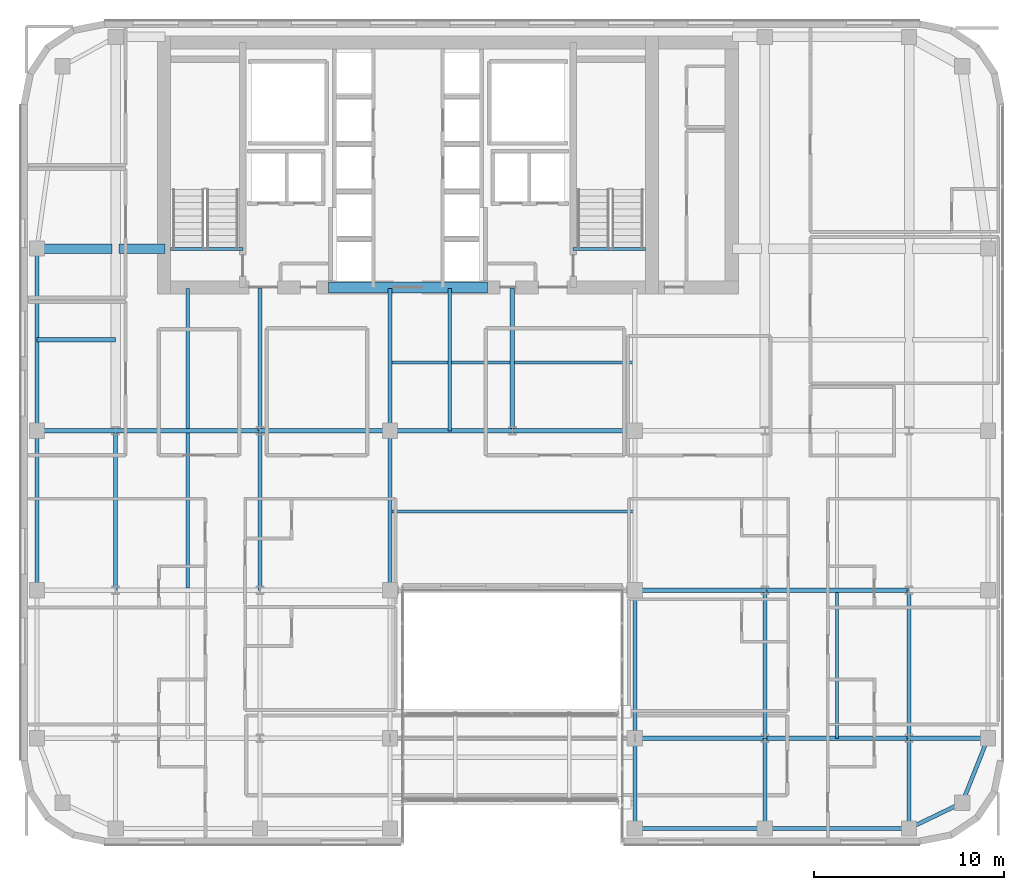
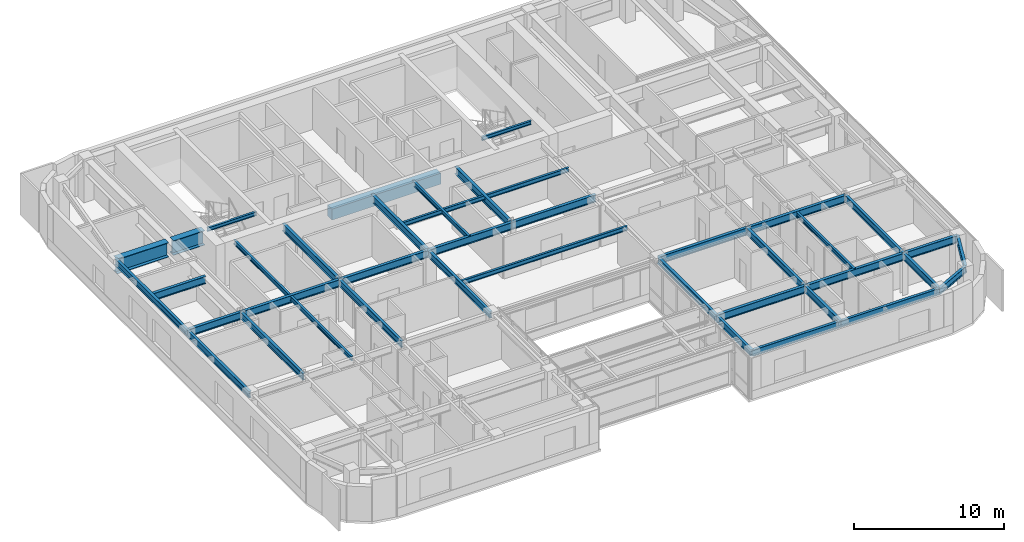
# One storey, part 7 of 26: 40 beams.
"""IFC4 building model written with IfcOpenShell, lengths in metres."""

from ifc_helpers import new_model, si_unit, direction, frame, origin, origin_2d, place, context, subcontext, project, spatial, rectangle, i_section, extrude, source, transform, mapped, material, material_profile, profile_set, type_object, type_shapes, element, save


model = new_model("IFC4")

# Units and contexts
model_context = context("Model", 3, precision=1e-05, world=origin(), true_north=direction((0.0, 1.0)))
body_context = subcontext(model_context, "Body", "Model", "MODEL_VIEW")
ifc_project = project(units=[si_unit("LENGTHUNIT", "METRE"), si_unit("AREAUNIT", "SQUARE_METRE"), si_unit("VOLUMEUNIT", "CUBIC_METRE"), si_unit("PLANEANGLEUNIT", "RADIAN"), si_unit("MASSUNIT", "GRAM", prefix="KILO")], contexts=[model_context])

# Site, building, storey
site_placement = place(None, origin())
site = spatial("IfcSite", under=ifc_project, at=site_placement, CompositionType="ELEMENT")
building_placement = place(site_placement, origin())
building = spatial("IfcBuilding", under=site, at=building_placement, Name="Tolvann Quenvar Hotel", CompositionType="ELEMENT")
storey_placement = place(building_placement, frame((0.0, 0.0, 168.35009765625)))
storey = spatial("IfcBuildingStorey", under=building, at=storey_placement, Name="L44", CompositionType="ELEMENT", Elevation=168.35009765625)

# Beams
ifc_material_1 = material(Name="Concrete N50 (50 MPa)", Category="concrete")
ifc_material_profile_1 = material_profile(ifc_material_1, rectangle(XDim=0.60009765625, YDim=0.89990234375, at=origin_2d()), Name="RC600x900")
ifc_profile_set_1 = profile_set([ifc_material_profile_1], Name="Concrete N50 (50 MPa)")
beam_type_1 = type_object("IfcBeamType", Name="BM_LINT_RC600x900", PredefinedType="LINTEL", material=ifc_profile_set_1)
shared_shape_1 = source(origin(), body_context, "Body", "SweptSolid", [
    extrude(rectangle(XDim=0.60009765625, YDim=0.89990234375, at=origin_2d()), origin(), (0.0, 0.0, 1.0), 8.39990234375),
])
type_shapes(beam_type_1, [shared_shape_1])
beam_1_placement = place(storey_placement, frame((18.800048828125, 31.949951171875, 2.919921875), z_axis=(1.0, 0.0, 0.0), x_axis=(0.0, 1.0, 0.0)))
element("IfcBeam", 1, at=beam_1_placement, inside=storey, type_object=beam_type_1, Name="Core Coupling Lintel Beam (L44)", PredefinedType="LINTEL", context=body_context, shape_type="MappedRepresentation", body=[
    mapped(shared_shape_1, transform((0.0, 0.0, 0.0), x_axis=(1.0, 0.0, 0.0), y_axis=(0.0, 1.0, 0.0), z_axis=(0.0, 0.0, 1.0), scale=1.0)),
])
ifc_material_2 = material(Name="Steel Grade 350", Category="steel")
ifc_material_profile_2 = material_profile(ifc_material_2, i_section(OverallWidth=0.208984375, OverallDepth=0.528076171875, WebThickness=0.009521484375, FlangeThickness=0.01318359375, FilletRadius=0.013916015625, at=origin_2d()), Name="530UB82")
ifc_profile_set_2 = profile_set([ifc_material_profile_2], Name="Steel Grade 350")
beam_type_2 = type_object("IfcBeamType", Name="BM_SPAND_530UB82", PredefinedType="SPANDREL", material=ifc_profile_set_2)
shared_shape_2 = source(origin(), body_context, "Body", "SweptSolid", [
    extrude(i_section(OverallWidth=0.208984375, OverallDepth=0.528076171875, WebThickness=0.009521484375, FlangeThickness=0.01318359375, FilletRadius=0.013916015625, at=origin_2d()), origin(), (0.0, 0.0, 1.0), 7.599853515625),
])
beam_2_placement = place(storey_placement, frame((41.800048828125, 3.449951171875, 3.10595703125), z_axis=(1.0, 0.0, 0.0), x_axis=(0.0, 1.0, 0.0)))
element("IfcBeam", 2, at=beam_2_placement, inside=storey, type_object=beam_type_2, Name="BM-L44-EW-2-H2-I2", PredefinedType="SPANDREL", context=body_context, shape_type="MappedRepresentation", body=[
    mapped(shared_shape_2, transform((0.0, 0.0, 0.0), x_axis=(1.0, 0.0, 0.0), y_axis=(0.0, 1.0, 0.0), z_axis=(0.0, 0.0, 1.0), scale=1.0)),
])
shared_shape_3 = source(origin(), body_context, "Body", "SweptSolid", [
    extrude(i_section(OverallWidth=0.208984375, OverallDepth=0.528076171875, WebThickness=0.009521484375, FlangeThickness=0.01318359375, FilletRadius=0.013916015625, at=origin_2d()), origin(), (0.0, 0.0, 1.0), 6.85009765625),
])
beam_3_placement = place(storey_placement, frame((34.949951171875, 3.449951171875, 3.10595703125), z_axis=(1.0, 0.0, 0.0), x_axis=(0.0, 1.0, 0.0)))
element("IfcBeam", 3, at=beam_3_placement, inside=storey, type_object=beam_type_2, Name="BM-L44-EW-2-F2-H2", PredefinedType="SPANDREL", context=body_context, shape_type="MappedRepresentation", body=[
    mapped(shared_shape_3, transform((0.0, 0.0, 0.0), x_axis=(1.0, 0.0, 0.0), y_axis=(0.0, 1.0, 0.0), z_axis=(0.0, 0.0, 1.0), scale=1.0)),
])
shared_shape_4 = source(origin(), body_context, "Body", "SweptSolid", [
    extrude(i_section(OverallWidth=0.208984375, OverallDepth=0.528076171875, WebThickness=0.009521484375, FlangeThickness=0.01318359375, FilletRadius=0.013916015625, at=origin_2d()), origin(), (0.0, 0.0, 1.0), 8.39990234375),
])
beam_4_placement = place(storey_placement, frame((3.449951171875, 16.0, 3.10595703125), z_axis=(0.0, 1.0, 0.0), x_axis=(-1.0, 0.0, 0.0)))
element("IfcBeam", 4, at=beam_4_placement, inside=storey, type_object=beam_type_2, Name="BM-L44-NS-B4-B5", PredefinedType="SPANDREL", context=body_context, shape_type="MappedRepresentation", body=[
    mapped(shared_shape_4, transform((0.0, 0.0, 0.0), x_axis=(1.0, 0.0, 0.0), y_axis=(0.0, 1.0, 0.0), z_axis=(0.0, 0.0, 1.0), scale=1.0)),
])
ifc_material_profile_3 = material_profile(ifc_material_2, i_section(OverallWidth=0.208984375, OverallDepth=0.532958984375, WebThickness=0.01025390625, FlangeThickness=0.015625, FilletRadius=0.013916015625, at=origin_2d()), Name="530UB92")
ifc_profile_set_3 = profile_set([ifc_material_profile_3], Name="Steel Grade 350")
beam_type_3 = type_object("IfcBeamType", Name="BM_GIRD_530UB92", PredefinedType="BEAM", material=ifc_profile_set_3)
shared_shape_5 = source(origin(), body_context, "Body", "SweptSolid", [
    extrude(i_section(OverallWidth=0.208984375, OverallDepth=0.532958984375, WebThickness=0.01025390625, FlangeThickness=0.015625, FilletRadius=0.013916015625, at=origin_2d()), origin(), (0.0, 0.0, 1.0), 7.800048828125),
])
for number, where, z_axis, x_axis, name in (
    (5, (34.949951171875, 8.199951171875, 3.103515625), (0.0, 1.0, 0.0), (-1.0, 0.0, 0.0), "BM-L44-NS-F3-F4"),
    (6, (41.800048828125, 8.199951171875, 3.103515625), (0.0, 1.0, 0.0), (-1.0, 0.0, 0.0), "BM-L44-NS-H3-H4"),
    (7, (49.39990234375, 8.199951171875, 3.103515625), (0.0, 1.0, 0.0), (-1.0, 0.0, 0.0), "BM-L44-NS-I3-I4"),
):
    element("IfcBeam", number, at=place(storey_placement, frame(where, z_axis=z_axis, x_axis=x_axis)), inside=storey, type_object=beam_type_3, Name=name, PredefinedType="BEAM", context=body_context, shape_type="MappedRepresentation", body=[
        mapped(shared_shape_5, transform((0.0, 0.0, 0.0), x_axis=(1.0, 0.0, 0.0), y_axis=(0.0, 1.0, 0.0), z_axis=(0.0, 0.0, 1.0), scale=1.0)),
    ])
shared_shape_6 = source(origin(), body_context, "Body", "SweptSolid", [
    extrude(i_section(OverallWidth=0.208984375, OverallDepth=0.532958984375, WebThickness=0.01025390625, FlangeThickness=0.015625, FilletRadius=0.013916015625, at=origin_2d()), origin(), (0.0, 0.0, 1.0), 8.39990234375),
])
for number, where, z_axis, x_axis, name in (
    (8, (7.60009765625, 16.0, 3.103515625), (0.0, 1.0, 0.0), (-1.0, 0.0, 0.0), "BM-L44-NS-C4-C5"),
    (9, (15.199951171875, 16.0, 3.103515625), (0.0, 1.0, 0.0), (-1.0, 0.0, 0.0), "BM-L44-NS-D4-D5"),
    (10, (22.050048828125, 16.0, 3.103515625), (0.0, 1.0, 0.0), (-1.0, 0.0, 0.0), "BM-L44-NS-E4-E5"),
):
    element("IfcBeam", number, at=place(storey_placement, frame(where, z_axis=z_axis, x_axis=x_axis)), inside=storey, type_object=beam_type_3, Name=name, PredefinedType="BEAM", context=body_context, shape_type="MappedRepresentation", body=[
        mapped(shared_shape_6, transform((0.0, 0.0, 0.0), x_axis=(1.0, 0.0, 0.0), y_axis=(0.0, 1.0, 0.0), z_axis=(0.0, 0.0, 1.0), scale=1.0)),
    ])
shared_shape_7 = source(origin(), body_context, "Body", "SweptSolid", [
    extrude(i_section(OverallWidth=0.208984375, OverallDepth=0.528076171875, WebThickness=0.009521484375, FlangeThickness=0.01318359375, FilletRadius=0.013916015625, at=origin_2d()), origin(), (0.0, 0.0, 1.0), 9.60009765625),
])
beam_5_placement = place(storey_placement, frame((3.449951171875, 24.39990234375, 3.10595703125), z_axis=(0.0, 1.0, 0.0), x_axis=(-1.0, 0.0, 0.0)))
element("IfcBeam", 11, at=beam_5_placement, inside=storey, type_object=beam_type_2, Name="BM-L44-FLK-W1", PredefinedType="SPANDREL", context=body_context, shape_type="MappedRepresentation", body=[
    mapped(shared_shape_7, transform((0.0, 0.0, 0.0), x_axis=(1.0, 0.0, 0.0), y_axis=(0.0, 1.0, 0.0), z_axis=(0.0, 0.0, 1.0), scale=1.0)),
])
ifc_material_profile_4 = material_profile(ifc_material_2, i_section(OverallWidth=0.5, OverallDepth=1.199951171875, WebThickness=0.01611328125, FlangeThickness=0.0400390625, at=origin_2d()), Name="1200WB455")
ifc_profile_set_4 = profile_set([ifc_material_profile_4], Name="Steel Grade 350")
beam_type_4 = type_object("IfcBeamType", Name="BM_TG_1200WB455", PredefinedType="USERDEFINED", material=ifc_profile_set_4)
shared_shape_8 = source(origin(), body_context, "Body", "SweptSolid", [
    extrude(i_section(OverallWidth=0.5, OverallDepth=1.199951171875, WebThickness=0.01611328125, FlangeThickness=0.0400390625, at=origin_2d()), origin(), (0.0, 0.0, 1.0), 2.419921875),
])
beam_6_placement = place(storey_placement, frame((7.780029296875, 34.0, 2.77001953125), z_axis=(1.0, 0.0, 0.0), x_axis=(0.0, 1.0, 0.0)))
element("IfcBeam", 12, at=beam_6_placement, inside=storey, type_object=beam_type_4, Name="BM-L44-CTW-MID2", ObjectType="TRANSFER GIRDER", PredefinedType="USERDEFINED", context=body_context, shape_type="MappedRepresentation", body=[
    mapped(shared_shape_8, transform((0.0, 0.0, 0.0), x_axis=(1.0, 0.0, 0.0), y_axis=(0.0, 1.0, 0.0), z_axis=(0.0, 0.0, 1.0), scale=1.0)),
])
ifc_material_profile_5 = material_profile(ifc_material_2, i_section(OverallWidth=0.166015625, OverallDepth=0.306884765625, WebThickness=0.006591796875, FlangeThickness=0.01171875, FilletRadius=0.011474609375, at=origin_2d()), Name="310UB46")
ifc_profile_set_5 = profile_set([ifc_material_profile_5], Name="Steel Grade 350")
beam_type_5 = type_object("IfcBeamType", Name="BM_JOIST_310UB46", PredefinedType="JOIST", material=ifc_profile_set_5)
shared_shape_9 = source(origin(), body_context, "Body", "SweptSolid", [
    extrude(i_section(OverallWidth=0.166015625, OverallDepth=0.306884765625, WebThickness=0.006591796875, FlangeThickness=0.01171875, FilletRadius=0.011474609375, at=origin_2d()), origin(), (0.0, 0.0, 1.0), 3.800048828125),
])
type_shapes(beam_type_5, [shared_shape_9])
for number, where, z_axis, x_axis, name in (
    (13, (10.5, 33.97998046875, 3.21630859375), (1.0, 0.0, 0.0), (0.0, 1.0, 0.0), "BM-HDR-STC1-L45"),
    (14, (31.699951171875, 33.97998046875, 3.21630859375), (1.0, 0.0, 0.0), (0.0, 1.0, 0.0), "BM-HDR-STC2-L45"),
):
    element("IfcBeam", number, at=place(storey_placement, frame(where, z_axis=z_axis, x_axis=x_axis)), inside=storey, type_object=beam_type_5, Name=name, PredefinedType="JOIST", context=body_context, shape_type="MappedRepresentation", body=[
        mapped(shared_shape_9, transform((0.0, 0.0, 0.0), x_axis=(1.0, 0.0, 0.0), y_axis=(0.0, 1.0, 0.0), z_axis=(0.0, 0.0, 1.0), scale=1.0)),
    ])
shared_shape_10 = source(origin(), body_context, "Body", "SweptSolid", [
    extrude(i_section(OverallWidth=0.5, OverallDepth=1.199951171875, WebThickness=0.01611328125, FlangeThickness=0.0400390625, at=origin_2d()), origin(), (0.0, 0.0, 1.0), 3.969970703125),
])
type_shapes(beam_type_4, [shared_shape_8, shared_shape_10])
beam_7_placement = place(storey_placement, frame((3.449951171875, 34.0, 2.77001953125), z_axis=(1.0, 0.0, 0.0), x_axis=(0.0, 1.0, 0.0)))
element("IfcBeam", 15, at=beam_7_placement, inside=storey, type_object=beam_type_4, Name="BM-L44-CTW-MID1", ObjectType="TRANSFER GIRDER", PredefinedType="USERDEFINED", context=body_context, shape_type="MappedRepresentation", body=[
    mapped(shared_shape_10, transform((0.0, 0.0, 0.0), x_axis=(1.0, 0.0, 0.0), y_axis=(0.0, 1.0, 0.0), z_axis=(0.0, 0.0, 1.0), scale=1.0)),
])
ifc_material_profile_6 = material_profile(ifc_material_2, i_section(OverallWidth=0.172119140625, OverallDepth=0.35888671875, WebThickness=0.008056640625, FlangeThickness=0.012939453125, FilletRadius=0.011474609375, at=origin_2d()), Name="360UB57")
ifc_profile_set_6 = profile_set([ifc_material_profile_6], Name="Steel Grade 350")
beam_type_6 = type_object("IfcBeamType", Name="BM_JOIST_360UB57", PredefinedType="JOIST", material=ifc_profile_set_6)
shared_shape_11 = source(origin(), body_context, "Body", "SweptSolid", [
    extrude(i_section(OverallWidth=0.172119140625, OverallDepth=0.35888671875, WebThickness=0.008056640625, FlangeThickness=0.012939453125, FilletRadius=0.011474609375, at=origin_2d()), origin(), (0.0, 0.0, 1.0), 12.89990234375),
])
for number, where, z_axis, x_axis, name in (
    (16, (22.050048828125, 20.14990234375, 3.1904296875), (1.0, 0.0, 0.0), (0.0, 1.0, 0.0), "BM-L44-SPINE-20"),
    (17, (22.050048828125, 28.0, 3.1904296875), (1.0, 0.0, 0.0), (0.0, 1.0, 0.0), "BM-L44-SPINE-28"),
):
    element("IfcBeam", number, at=place(storey_placement, frame(where, z_axis=z_axis, x_axis=x_axis)), inside=storey, type_object=beam_type_6, Name=name, PredefinedType="JOIST", context=body_context, shape_type="MappedRepresentation", body=[
        mapped(shared_shape_11, transform((0.0, 0.0, 0.0), x_axis=(1.0, 0.0, 0.0), y_axis=(0.0, 1.0, 0.0), z_axis=(0.0, 0.0, 1.0), scale=1.0)),
    ])
shared_shape_12 = source(origin(), body_context, "Body", "SweptSolid", [
    extrude(i_section(OverallWidth=0.172119140625, OverallDepth=0.35888671875, WebThickness=0.008056640625, FlangeThickness=0.012939453125, FilletRadius=0.011474609375, at=origin_2d()), origin(), (0.0, 0.0, 1.0), 7.5),
])
beam_8_placement = place(storey_placement, frame((25.199951171875, 24.39990234375, 3.1904296875), z_axis=(0.0, 1.0, 0.0), x_axis=(-1.0, 0.0, 0.0)))
element("IfcBeam", 18, at=beam_8_placement, inside=storey, type_object=beam_type_6, Name="BJ-L44-252-244", PredefinedType="JOIST", context=body_context, shape_type="MappedRepresentation", body=[
    mapped(shared_shape_12, transform((0.0, 0.0, 0.0), x_axis=(1.0, 0.0, 0.0), y_axis=(0.0, 1.0, 0.0), z_axis=(0.0, 0.0, 1.0), scale=1.0)),
])
shared_shape_13 = source(origin(), body_context, "Body", "SweptSolid", [
    extrude(i_section(OverallWidth=0.208984375, OverallDepth=0.528076171875, WebThickness=0.009521484375, FlangeThickness=0.01318359375, FilletRadius=0.013916015625, at=origin_2d()), origin(), (0.0, 0.0, 1.0), 3.108642578125),
])
beam_9_placement = place(storey_placement, frame((49.39990234375, 3.449951171875, 3.10595703125), z_axis=(0.900759354066, 0.434318530646, 0.0), x_axis=(-0.434318530646, 0.900759354066, 0.0)))
element("IfcBeam", 19, at=beam_9_placement, inside=storey, type_object=beam_type_2, Name="BM-L44-EW-2-I2-J2", PredefinedType="SPANDREL", context=body_context, shape_type="MappedRepresentation", body=[
    mapped(shared_shape_13, transform((0.0, 0.0, 0.0), x_axis=(1.0, 0.0, 0.0), y_axis=(0.0, 1.0, 0.0), z_axis=(0.0, 0.0, 1.0), scale=1.0)),
])
ifc_material_profile_7 = material_profile(ifc_material_2, i_section(OverallWidth=0.22802734375, OverallDepth=0.60205078125, WebThickness=0.010498046875, FlangeThickness=0.014892578125, FilletRadius=0.013916015625, at=origin_2d()), Name="610UB101")
ifc_profile_set_7 = profile_set([ifc_material_profile_7], Name="Steel Grade 350")
beam_type_7 = type_object("IfcBeamType", Name="BM_GIRD_610UB101", PredefinedType="BEAM", material=ifc_profile_set_7)
shared_shape_14 = source(origin(), body_context, "Body", "SweptSolid", [
    extrude(i_section(OverallWidth=0.22802734375, OverallDepth=0.60205078125, WebThickness=0.010498046875, FlangeThickness=0.014892578125, FilletRadius=0.013916015625, at=origin_2d()), origin(), (0.0, 0.0, 1.0), 4.150146484375),
])
for number, where, z_axis, x_axis, name in (
    (20, (49.39990234375, 8.199951171875, 3.06884765625), (1.0, 0.0, 0.0), (0.0, 1.0, 0.0), "BM-L44-EW-3-I3-J3"),
    (21, (3.449951171875, 24.39990234375, 3.06884765625), (1.0, 0.0, 0.0), (0.0, 1.0, 0.0), "BM-L44-EW-5-B5-C5"),
    (22, (3.449951171875, 29.199951171875, 3.06884765625), (1.0, 0.0, 0.0), (0.0, 1.0, 0.0), "BM-L44-EW-BC29"),
):
    element("IfcBeam", number, at=place(storey_placement, frame(where, z_axis=z_axis, x_axis=x_axis)), inside=storey, type_object=beam_type_7, Name=name, PredefinedType="BEAM", context=body_context, shape_type="MappedRepresentation", body=[
        mapped(shared_shape_14, transform((0.0, 0.0, 0.0), x_axis=(1.0, 0.0, 0.0), y_axis=(0.0, 1.0, 0.0), z_axis=(0.0, 0.0, 1.0), scale=1.0)),
    ])
shared_shape_15 = source(origin(), body_context, "Body", "SweptSolid", [
    extrude(i_section(OverallWidth=0.22802734375, OverallDepth=0.60205078125, WebThickness=0.010498046875, FlangeThickness=0.014892578125, FilletRadius=0.013916015625, at=origin_2d()), origin(), (0.0, 0.0, 1.0), 7.599853515625),
])
for number, where, z_axis, x_axis, name in (
    (23, (41.800048828125, 8.199951171875, 3.06884765625), (1.0, 0.0, 0.0), (0.0, 1.0, 0.0), "BM-L44-EW-3-H3-I3"),
    (24, (41.800048828125, 16.0, 3.06884765625), (1.0, 0.0, 0.0), (0.0, 1.0, 0.0), "BM-L44-EW-4-H4-I4"),
    (25, (7.60009765625, 24.39990234375, 3.06884765625), (1.0, 0.0, 0.0), (0.0, 1.0, 0.0), "BM-L44-EW-5-C5-D5"),
):
    element("IfcBeam", number, at=place(storey_placement, frame(where, z_axis=z_axis, x_axis=x_axis)), inside=storey, type_object=beam_type_7, Name=name, PredefinedType="BEAM", context=body_context, shape_type="MappedRepresentation", body=[
        mapped(shared_shape_15, transform((0.0, 0.0, 0.0), x_axis=(1.0, 0.0, 0.0), y_axis=(0.0, 1.0, 0.0), z_axis=(0.0, 0.0, 1.0), scale=1.0)),
    ])
shared_shape_16 = source(origin(), body_context, "Body", "SweptSolid", [
    extrude(i_section(OverallWidth=0.22802734375, OverallDepth=0.60205078125, WebThickness=0.010498046875, FlangeThickness=0.014892578125, FilletRadius=0.013916015625, at=origin_2d()), origin(), (0.0, 0.0, 1.0), 6.85009765625),
])
for number, where, z_axis, x_axis, name in (
    (26, (34.949951171875, 8.199951171875, 3.06884765625), (1.0, 0.0, 0.0), (0.0, 1.0, 0.0), "BM-L44-EW-3-F3-H3"),
    (27, (34.949951171875, 16.0, 3.06884765625), (1.0, 0.0, 0.0), (0.0, 1.0, 0.0), "BM-L44-EW-4-F4-H4"),
    (28, (15.199951171875, 24.39990234375, 3.06884765625), (1.0, 0.0, 0.0), (0.0, 1.0, 0.0), "BM-L44-EW-5-D5-E5"),
):
    element("IfcBeam", number, at=place(storey_placement, frame(where, z_axis=z_axis, x_axis=x_axis)), inside=storey, type_object=beam_type_7, Name=name, PredefinedType="BEAM", context=body_context, shape_type="MappedRepresentation", body=[
        mapped(shared_shape_16, transform((0.0, 0.0, 0.0), x_axis=(1.0, 0.0, 0.0), y_axis=(0.0, 1.0, 0.0), z_axis=(0.0, 0.0, 1.0), scale=1.0)),
    ])
shared_shape_17 = source(origin(), body_context, "Body", "SweptSolid", [
    extrude(i_section(OverallWidth=0.22802734375, OverallDepth=0.60205078125, WebThickness=0.010498046875, FlangeThickness=0.014892578125, FilletRadius=0.013916015625, at=origin_2d()), origin(), (0.0, 0.0, 1.0), 6.449951171875),
])
for number, where, z_axis, x_axis, name in (
    (29, (22.050048828125, 24.39990234375, 3.06884765625), (1.0, 0.0, 0.0), (0.0, 1.0, 0.0), "BM-L44-EW-5-E5-M5"),
    (30, (28.5, 24.39990234375, 3.06884765625), (1.0, 0.0, 0.0), (0.0, 1.0, 0.0), "BM-L44-EW-5-M5-F5"),
):
    element("IfcBeam", number, at=place(storey_placement, frame(where, z_axis=z_axis, x_axis=x_axis)), inside=storey, type_object=beam_type_7, Name=name, PredefinedType="BEAM", context=body_context, shape_type="MappedRepresentation", body=[
        mapped(shared_shape_17, transform((0.0, 0.0, 0.0), x_axis=(1.0, 0.0, 0.0), y_axis=(0.0, 1.0, 0.0), z_axis=(0.0, 0.0, 1.0), scale=1.0)),
    ])
shared_shape_18 = source(origin(), body_context, "Body", "SweptSolid", [
    extrude(i_section(OverallWidth=0.208984375, OverallDepth=0.528076171875, WebThickness=0.009521484375, FlangeThickness=0.01318359375, FilletRadius=0.013916015625, at=origin_2d()), origin(), (0.0, 0.0, 1.0), 3.658203125),
])
type_shapes(beam_type_2, [shared_shape_2, shared_shape_3, shared_shape_4, shared_shape_7, shared_shape_13, shared_shape_18])
beam_10_placement = place(storey_placement, frame((52.199951171875, 4.800048828125, 3.10595703125), z_axis=(0.369065163807, 0.929403521009, 0.0), x_axis=(-0.929403521009, 0.369065163807, 0.0)))
element("IfcBeam", 31, at=beam_10_placement, inside=storey, type_object=beam_type_2, Name="BM-L44-NS-J2-J3", PredefinedType="SPANDREL", context=body_context, shape_type="MappedRepresentation", body=[
    mapped(shared_shape_18, transform((0.0, 0.0, 0.0), x_axis=(1.0, 0.0, 0.0), y_axis=(0.0, 1.0, 0.0), z_axis=(0.0, 0.0, 1.0), scale=1.0)),
])
shared_shape_19 = source(origin(), body_context, "Body", "SweptSolid", [
    extrude(i_section(OverallWidth=0.208984375, OverallDepth=0.532958984375, WebThickness=0.01025390625, FlangeThickness=0.015625, FilletRadius=0.013916015625, at=origin_2d()), origin(), (0.0, 0.0, 1.0), 4.75),
])
type_shapes(beam_type_3, [shared_shape_5, shared_shape_6, shared_shape_19])
for number, where, z_axis, x_axis, name in (
    (32, (34.949951171875, 3.449951171875, 3.103515625), (0.0, 1.0, 0.0), (-1.0, 0.0, 0.0), "BM-L44-NS-F2-F3"),
    (33, (41.800048828125, 3.449951171875, 3.103515625), (0.0, 1.0, 0.0), (-1.0, 0.0, 0.0), "BM-L44-NS-H2-H3"),
    (34, (49.39990234375, 3.449951171875, 3.103515625), (0.0, 1.0, 0.0), (-1.0, 0.0, 0.0), "BM-L44-NS-I2-I3"),
):
    element("IfcBeam", number, at=place(storey_placement, frame(where, z_axis=z_axis, x_axis=x_axis)), inside=storey, type_object=beam_type_3, Name=name, PredefinedType="BEAM", context=body_context, shape_type="MappedRepresentation", body=[
        mapped(shared_shape_19, transform((0.0, 0.0, 0.0), x_axis=(1.0, 0.0, 0.0), y_axis=(0.0, 1.0, 0.0), z_axis=(0.0, 0.0, 1.0), scale=1.0)),
    ])
shared_shape_20 = source(origin(), body_context, "Body", "SweptSolid", [
    extrude(i_section(OverallWidth=0.22802734375, OverallDepth=0.60205078125, WebThickness=0.010498046875, FlangeThickness=0.014892578125, FilletRadius=0.013916015625, at=origin_2d()), origin(), (0.0, 0.0, 1.0), 7.5),
])
type_shapes(beam_type_7, [shared_shape_14, shared_shape_15, shared_shape_16, shared_shape_17, shared_shape_20])
for number, where, z_axis, x_axis, name in (
    (35, (15.199951171875, 24.39990234375, 3.06884765625), (0.0, 1.0, 0.0), (-1.0, 0.0, 0.0), "BM-L44-CORE-D5"),
    (36, (22.050048828125, 24.39990234375, 3.06884765625), (0.0, 1.0, 0.0), (-1.0, 0.0, 0.0), "BM-L44-CORE-E5"),
    (37, (28.5, 24.39990234375, 3.06884765625), (0.0, 1.0, 0.0), (-1.0, 0.0, 0.0), "BM-L44-CORE-M5"),
):
    element("IfcBeam", number, at=place(storey_placement, frame(where, z_axis=z_axis, x_axis=x_axis)), inside=storey, type_object=beam_type_7, Name=name, PredefinedType="BEAM", context=body_context, shape_type="MappedRepresentation", body=[
        mapped(shared_shape_20, transform((0.0, 0.0, 0.0), x_axis=(1.0, 0.0, 0.0), y_axis=(0.0, 1.0, 0.0), z_axis=(0.0, 0.0, 1.0), scale=1.0)),
    ])
shared_shape_21 = source(origin(), body_context, "Body", "SweptSolid", [
    extrude(i_section(OverallWidth=0.172119140625, OverallDepth=0.35888671875, WebThickness=0.008056640625, FlangeThickness=0.012939453125, FilletRadius=0.011474609375, at=origin_2d()), origin(), (0.0, 0.0, 1.0), 7.692138671875),
])
beam_11_placement = place(storey_placement, frame((45.60009765625, 8.199951171875, 3.1904296875), z_axis=(0.0, 1.0, 0.0), x_axis=(-1.0, 0.0, 0.0)))
element("IfcBeam", 38, at=beam_11_placement, inside=storey, type_object=beam_type_6, Name="BJ-L44-456-82", PredefinedType="JOIST", context=body_context, shape_type="MappedRepresentation", body=[
    mapped(shared_shape_21, transform((0.0, 0.0, 0.0), x_axis=(1.0, 0.0, 0.0), y_axis=(0.0, 1.0, 0.0), z_axis=(0.0, 0.0, 1.0), scale=1.0)),
])
shared_shape_22 = source(origin(), body_context, "Body", "SweptSolid", [
    extrude(i_section(OverallWidth=0.172119140625, OverallDepth=0.35888671875, WebThickness=0.008056640625, FlangeThickness=0.012939453125, FilletRadius=0.011474609375, at=origin_2d()), origin(), (0.0, 0.0, 1.0), 8.18408203125),
])
beam_12_placement = place(storey_placement, frame((11.39990234375, 16.10791015625, 3.1904296875), z_axis=(0.0, 1.0, 0.0), x_axis=(-1.0, 0.0, 0.0)))
element("IfcBeam", 39, at=beam_12_placement, inside=storey, type_object=beam_type_6, Name="BJ-L44-114-160", PredefinedType="JOIST", context=body_context, shape_type="MappedRepresentation", body=[
    mapped(shared_shape_22, transform((0.0, 0.0, 0.0), x_axis=(1.0, 0.0, 0.0), y_axis=(0.0, 1.0, 0.0), z_axis=(0.0, 0.0, 1.0), scale=1.0)),
])
shared_shape_23 = source(origin(), body_context, "Body", "SweptSolid", [
    extrude(i_section(OverallWidth=0.172119140625, OverallDepth=0.35888671875, WebThickness=0.008056640625, FlangeThickness=0.012939453125, FilletRadius=0.011474609375, at=origin_2d()), origin(), (0.0, 0.0, 1.0), 7.391845703125),
])
type_shapes(beam_type_6, [shared_shape_11, shared_shape_12, shared_shape_21, shared_shape_22, shared_shape_23])
beam_13_placement = place(storey_placement, frame((11.39990234375, 24.508056640625, 3.1904296875), z_axis=(0.0, 1.0, 0.0), x_axis=(-1.0, 0.0, 0.0)))
element("IfcBeam", 40, at=beam_13_placement, inside=storey, type_object=beam_type_6, Name="BJ-L44-114-244", PredefinedType="JOIST", context=body_context, shape_type="MappedRepresentation", body=[
    mapped(shared_shape_23, transform((0.0, 0.0, 0.0), x_axis=(1.0, 0.0, 0.0), y_axis=(0.0, 1.0, 0.0), z_axis=(0.0, 0.0, 1.0), scale=1.0)),
])

save(model, "model.ifc")
